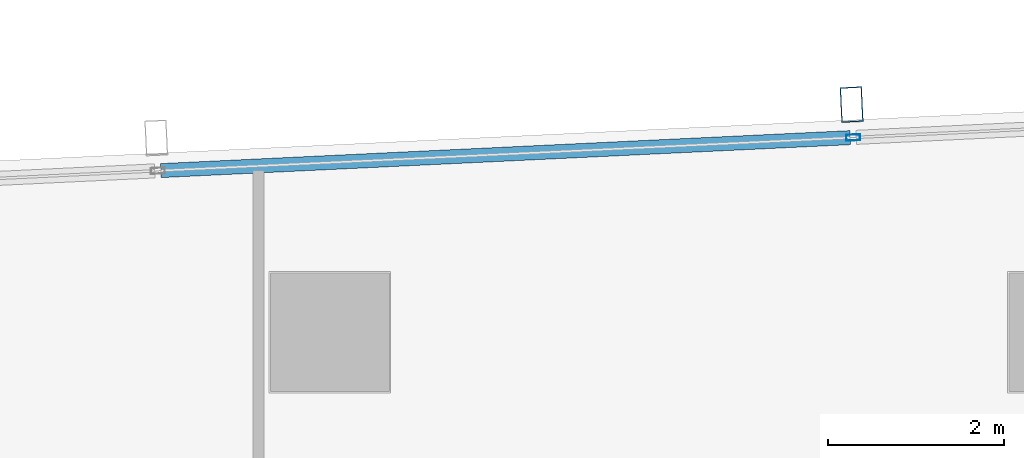
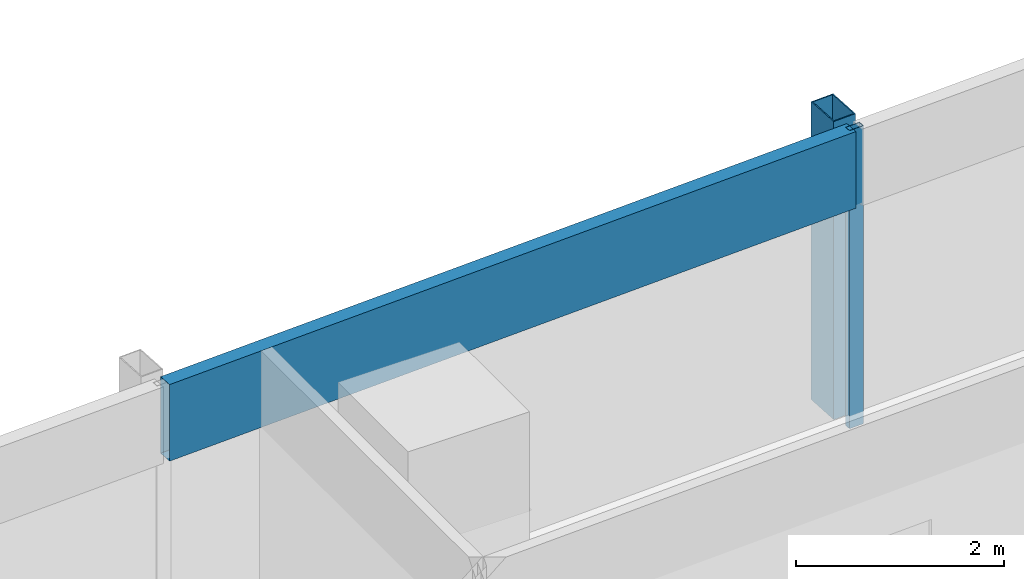
# One storey, part 15 of 33: 3 members, 1 element without a shape of its own.
"""IFC4 building model written with IfcOpenShell, lengths in metres."""

from ifc_helpers import new_model, si_unit, direction, frame, origin, origin_2d, place, context, subcontext, project, spatial, hollow_rectangle, extrude, material, material_profile, profile_set, type_object, element, aggregate, save


model = new_model("IFC4")

# Units and contexts
model_context = context("Model", 3, precision=1e-05, world=origin(), true_north=direction((0.0, 1.0)))
body_context = subcontext(model_context, "Body", "Model", "MODEL_VIEW")
ifc_project = project(units=[si_unit("LENGTHUNIT", "METRE"), si_unit("AREAUNIT", "SQUARE_METRE"), si_unit("VOLUMEUNIT", "CUBIC_METRE"), si_unit("PLANEANGLEUNIT", "RADIAN"), si_unit("MASSUNIT", "GRAM", prefix="KILO")], contexts=[model_context])

# Site, building, storey
site_placement = place(None, origin())
site = spatial("IfcSite", under=ifc_project, at=site_placement, CompositionType="ELEMENT")
building_placement = place(site_placement, origin())
building = spatial("IfcBuilding", under=site, at=building_placement, Name="Rekha Terrace Tower", CompositionType="ELEMENT")
storey_placement = place(building_placement, frame((0.0, 0.0, 206.449951171875)))
storey = spatial("IfcBuildingStorey", under=building, at=storey_placement, Name="L52", CompositionType="ELEMENT", Elevation=206.449951171875)

# Curtain wall, members
ifc_material_1 = material(Name="Aluminium framing", Category="aluminium")
curtain_wall_type = type_object("IfcCurtainWallType", Name="CW3 north unitised glazing", PredefinedType="USERDEFINED", material=ifc_material_1)
curtain_wall_placement = place(storey_placement, origin())
curtain_wall = element("IfcCurtainWall", 1, at=curtain_wall_placement, inside=storey, type_object=curtain_wall_type, Name="CW3 unitised curtain wall", ObjectType="UNITISED CURTAIN WALL", PredefinedType="USERDEFINED")
ifc_material_2 = material(Name="Steel S355 with fluorocarbon finish", Category="steel")
ifc_material_profile_1 = material_profile(ifc_material_2, hollow_rectangle(XDim=0.25, YDim=0.39990234375, WallThickness=0.012451171875, at=origin_2d()), Name="RHS400x250x12.5")
ifc_profile_set_1 = profile_set([ifc_material_profile_1], Name="Steel S355 with fluorocarbon finish")
member_type_1 = type_object("IfcMemberType", Name="BL1 facade blade RHS 400 x 250", PredefinedType="USERDEFINED", material=ifc_profile_set_1)
member_1_placement = place(storey_placement, frame((22.734130859375, 61.389404296875, 0.0), z_axis=(0.0, 0.0, 1.0), x_axis=(-0.998858913274, -0.04775846913, 0.0)))
member_1 = element("IfcMember", 2, at=member_1_placement, type_object=member_type_1, Name="Facade blade", ObjectType="FACADE BLADE", PredefinedType="USERDEFINED", context=body_context, shape_type="SweptSolid", body=[
    extrude(hollow_rectangle(XDim=0.25, YDim=0.39990234375, WallThickness=0.012451171875, at=origin_2d()), origin(), (0.0, 0.0, 1.0), 3.5),
])
ifc_material_3 = material(Name="Aluminium mullion section", Category="aluminium")
ifc_material_profile_2 = material_profile(ifc_material_3, hollow_rectangle(XDim=0.070068359375, YDim=0.159912109375, WallThickness=0.00390625, at=origin_2d()), Name="AL RHS 70x160")
ifc_profile_set_2 = profile_set([ifc_material_profile_2], Name="Aluminium mullion section")
member_type_2 = type_object("IfcMemberType", Name="CW3 mullion RHS 70 x 160", PredefinedType="MULLION", material=ifc_profile_set_2)
member_2_placement = place(storey_placement, frame((22.751953125, 61.014892578125, 0.0), z_axis=(0.0, 0.0, 1.0), x_axis=(0.047758616983, -0.998858906204, 0.0)))
member_2 = element("IfcMember", 3, at=member_2_placement, type_object=member_type_2, Name="CW3 mullion 4", PredefinedType="MULLION", context=body_context, shape_type="SweptSolid", body=[
    extrude(hollow_rectangle(XDim=0.070068359375, YDim=0.159912109375, WallThickness=0.00390625, at=origin_2d()), origin(), (0.0, 0.0, 1.0), 3.5),
])
ifc_material_4 = material(Name="Insulated aluminium spandrel box", Category="aluminium")
ifc_material_profile_3 = material_profile(ifc_material_4, hollow_rectangle(XDim=0.159912109375, YDim=0.89990234375, WallThickness=0.0029296875, at=origin_2d()), Name="AL SPANDREL BOX 160x900")
ifc_profile_set_3 = profile_set([ifc_material_profile_3], Name="Insulated aluminium spandrel box")
member_type_3 = type_object("IfcMemberType", Name="CW3 spandrel transom 160 x 900", PredefinedType="USERDEFINED", material=ifc_profile_set_3)
member_3_placement = place(storey_placement, frame((22.717041015625, 61.01318359375, 3.050048828125), z_axis=(-0.998859252362, -0.047751376635, 0.0), x_axis=(0.047751376635, -0.998859252362, 0.0)))
member_3 = element("IfcMember", 4, at=member_3_placement, type_object=member_type_3, Name="CW3 spandrel transom 4", ObjectType="TRANSOM", PredefinedType="USERDEFINED", context=body_context, shape_type="SweptSolid", body=[
    extrude(hollow_rectangle(XDim=0.159912109375, YDim=0.89990234375, WallThickness=0.0029296875, at=origin_2d()), origin(), (0.0, 0.0, 1.0), 7.84814453125),
])
aggregate(curtain_wall, [member_2, member_3, member_1])

save(model, "model.ifc")
